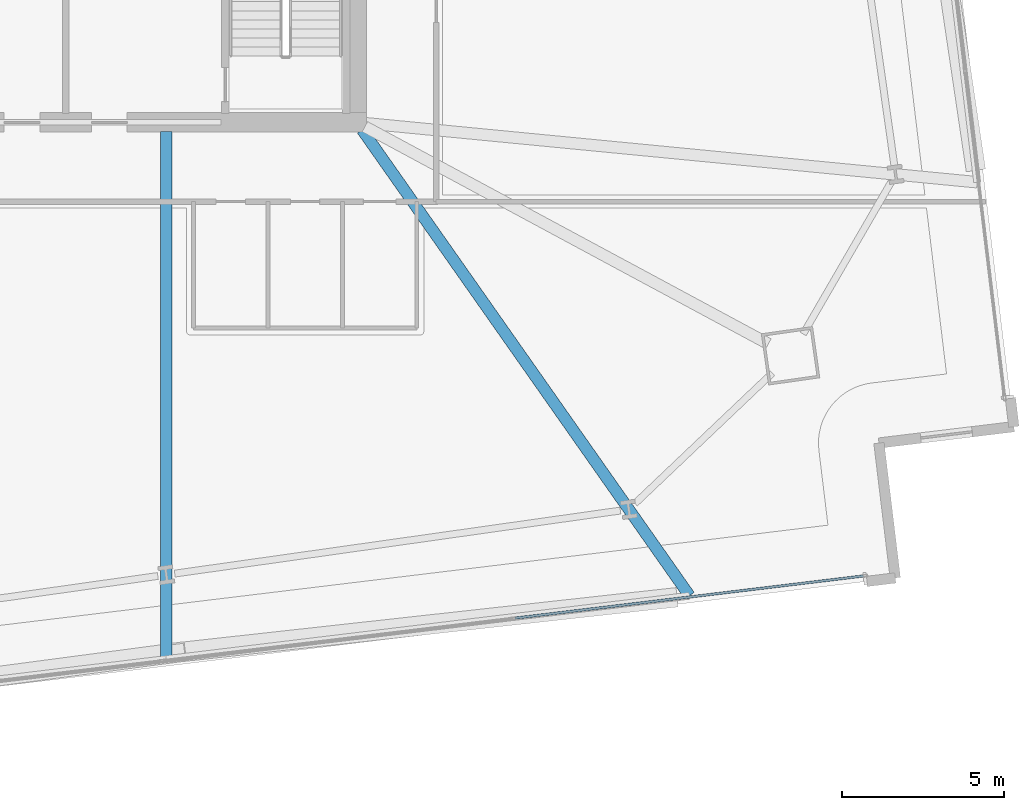
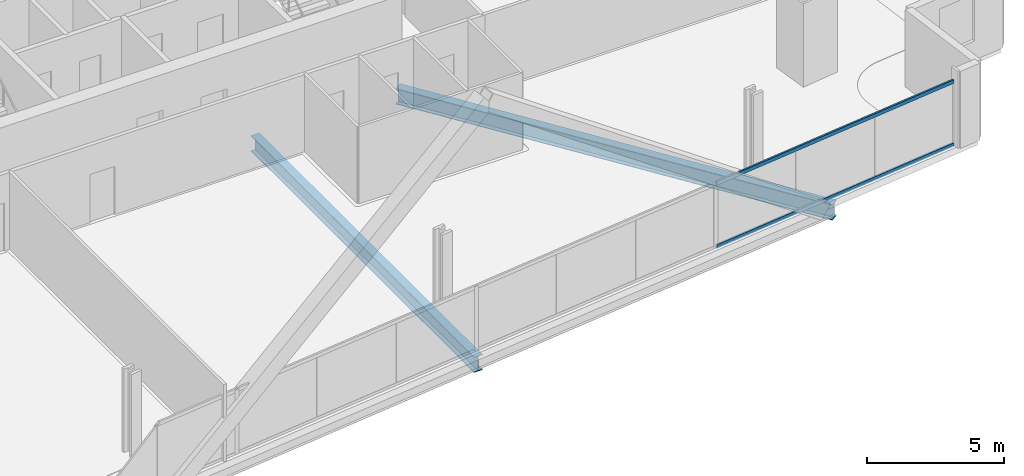
# One storey, part 10 of 33: 2 beams, 2 members, 1 element without a shape of its own.
"""IFC4 building model written with IfcOpenShell, lengths in metres."""

from ifc_helpers import new_model, si_unit, direction, frame, origin, origin_2d, place, context, subcontext, project, spatial, hollow_rectangle, i_section, extrude, material, material_profile, profile_set, type_object, element, aggregate, save


model = new_model("IFC4")

# Units and contexts
model_context = context("Model", 3, precision=1e-05, world=origin(), true_north=direction((0.0, 1.0)))
body_context = subcontext(model_context, "Body", "Model", "MODEL_VIEW")
ifc_project = project(units=[si_unit("LENGTHUNIT", "METRE"), si_unit("AREAUNIT", "SQUARE_METRE"), si_unit("VOLUMEUNIT", "CUBIC_METRE"), si_unit("PLANEANGLEUNIT", "RADIAN"), si_unit("MASSUNIT", "GRAM", prefix="KILO")], contexts=[model_context])

# Site, building, storey
site_placement = place(None, origin())
site = spatial("IfcSite", under=ifc_project, at=site_placement, CompositionType="ELEMENT")
building_placement = place(site_placement, origin())
building = spatial("IfcBuilding", under=site, at=building_placement, Name="Haldenkirk Collegiate Tower", CompositionType="ELEMENT")
storey_placement = place(building_placement, frame((0.0, 0.0, 51.449951171875)))
storey = spatial("IfcBuildingStorey", under=building, at=storey_placement, Name="L11", CompositionType="ELEMENT", Elevation=51.449951171875)

# Beams
ifc_material_1 = material(Name="Steel ASTM A992 Grade 50", Category="steel")
ifc_material_profile_1 = material_profile(ifc_material_1, i_section(OverallWidth=0.35498046875, OverallDepth=0.696044921875, WebThickness=0.015380859375, FlangeThickness=0.02490234375, at=origin_2d()), Name="W27X146")
ifc_profile_set_1 = profile_set([ifc_material_profile_1], Name="Steel ASTM A992 Grade 50")
beam_type = type_object("IfcBeamType", Name="BM-GIRDER-W27X146", PredefinedType="BEAM", material=ifc_profile_set_1)
beam_1_placement = place(storey_placement, frame((39.10888671875, 1.415283203125, -0.657958984375), z_axis=(0.0, 1.0, 0.0), x_axis=(-1.0, 0.0, 0.0)))
element("IfcBeam", 1, at=beam_1_placement, inside=storey, type_object=beam_type, Name="L11 primary floor girder 06", PredefinedType="BEAM", context=body_context, shape_type="SweptSolid", body=[
    extrude(i_section(OverallWidth=0.35498046875, OverallDepth=0.696044921875, WebThickness=0.015380859375, FlangeThickness=0.02490234375, at=origin_2d()), origin(), (0.0, 0.0, 1.0), 16.3046875),
])
beam_2_placement = place(storey_placement, frame((55.27734375, 3.3720703125, -0.657958984375), z_axis=(-0.574880502311, 0.818237378799, 0.0), x_axis=(-0.818237378799, -0.574880502311, 0.0)))
element("IfcBeam", 2, at=beam_2_placement, inside=storey, type_object=beam_type, Name="L11 primary floor girder 07", PredefinedType="BEAM", context=body_context, shape_type="SweptSolid", body=[
    extrude(i_section(OverallWidth=0.35498046875, OverallDepth=0.696044921875, WebThickness=0.015380859375, FlangeThickness=0.02490234375, at=origin_2d()), origin(), (0.0, 0.0, 1.0), 17.597412109375),
])

# Curtain wall, members
ifc_material_2 = material(Name="Anodised architectural bronze aluminium", Category="aluminium")
curtain_wall_type = type_object("IfcCurtainWallType", Name="CW-SYS2-CONCAVE", PredefinedType="USERDEFINED", material=ifc_material_2)
curtain_wall_placement = place(storey_placement, origin())
curtain_wall = element("IfcCurtainWall", 3, at=curtain_wall_placement, inside=storey, type_object=curtain_wall_type, Name="L11 South concave recessed bronze-anodised curtain wall", ObjectType="UNITISED CURTAIN WALL", PredefinedType="USERDEFINED")
ifc_material_profile_2 = material_profile(ifc_material_2, hollow_rectangle(XDim=0.074951171875, YDim=0.159912109375, WallThickness=0.0048828125, at=origin_2d()), Name="CW-TRN-02")
ifc_profile_set_2 = profile_set([ifc_material_profile_2], Name="Anodised architectural bronze aluminium")
member_type = type_object("IfcMemberType", Name="CW-TRN-02", PredefinedType="USERDEFINED", material=ifc_profile_set_2)
member_1_placement = place(storey_placement, frame((60.648681640625, 3.981689453125, 0.03759765625), z_axis=(-0.992757167222, -0.12013828253, 0.0), x_axis=(0.12013828253, -0.992757167222, 0.0)))
member_1 = element("IfcMember", 4, at=member_1_placement, type_object=member_type, Name="CW-02 transom 1.1", ObjectType="TRANSOM", PredefinedType="USERDEFINED", context=body_context, shape_type="SweptSolid", body=[
    extrude(hollow_rectangle(XDim=0.074951171875, YDim=0.159912109375, WallThickness=0.0048828125, at=origin_2d()), origin(), (0.0, 0.0, 1.0), 10.837646484375),
])
member_2_placement = place(storey_placement, frame((60.648681640625, 3.981689453125, 2.853515625), z_axis=(-0.992757167222, -0.12013828253, 0.0), x_axis=(0.12013828253, -0.992757167222, 0.0)))
member_2 = element("IfcMember", 5, at=member_2_placement, type_object=member_type, Name="CW-02 transom 1.2", ObjectType="TRANSOM", PredefinedType="USERDEFINED", context=body_context, shape_type="SweptSolid", body=[
    extrude(hollow_rectangle(XDim=0.074951171875, YDim=0.159912109375, WallThickness=0.0048828125, at=origin_2d()), origin(), (0.0, 0.0, 1.0), 10.837646484375),
])
aggregate(curtain_wall, [member_1, member_2])

save(model, "model.ifc")
